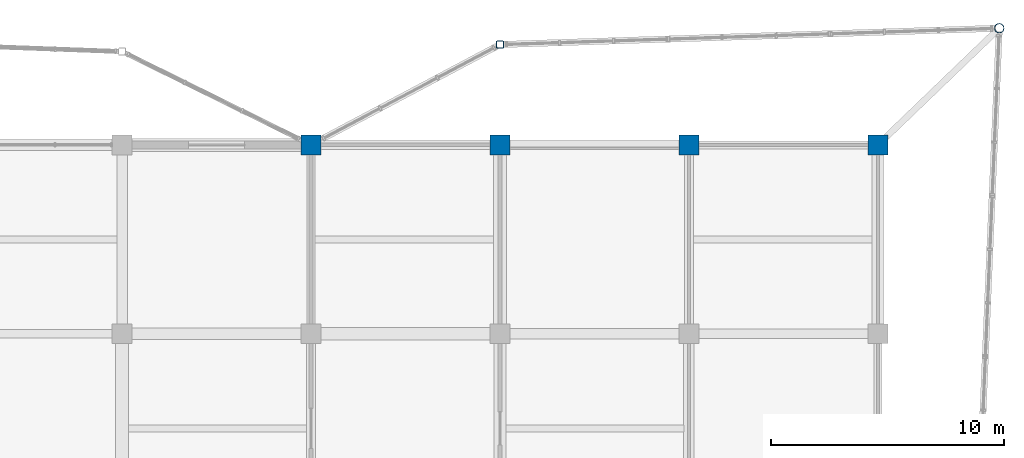
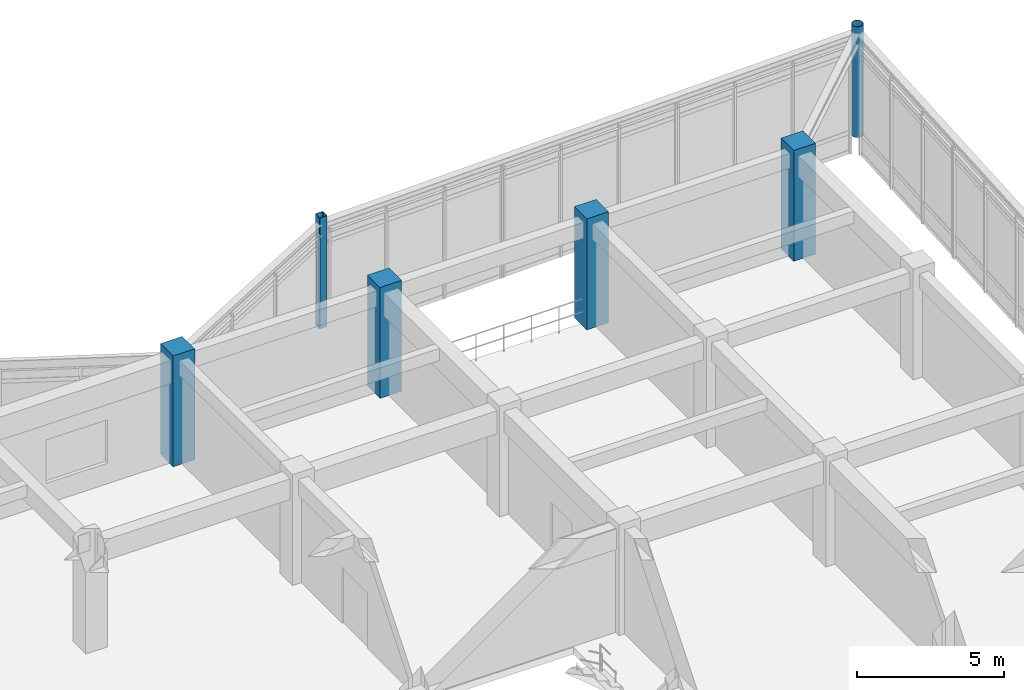
# One storey, part 17 of 93: 6 columns.
"""IFC4 building model written with IfcOpenShell, lengths in metres."""

from ifc_helpers import new_model, si_unit, direction, frame, origin, origin_2d, place, context, subcontext, project, spatial, rectangle, hollow_rectangle, hollow_circle, extrude, material, material_profile, profile_set, type_object, element, save


model = new_model("IFC4")

# Units and contexts
model_context = context("Model", 3, precision=1e-05, world=origin(), true_north=direction((0.0, 1.0)))
body_context = subcontext(model_context, "Body", "Model", "MODEL_VIEW")
ifc_project = project(units=[si_unit("LENGTHUNIT", "METRE"), si_unit("AREAUNIT", "SQUARE_METRE"), si_unit("VOLUMEUNIT", "CUBIC_METRE"), si_unit("PLANEANGLEUNIT", "RADIAN"), si_unit("MASSUNIT", "GRAM", prefix="KILO")], contexts=[model_context])

# Site, building, storey
site_placement = place(None, origin())
site = spatial("IfcSite", under=ifc_project, at=site_placement, CompositionType="ELEMENT")
building_placement = place(site_placement, origin())
building = spatial("IfcBuilding", under=site, at=building_placement, Name="Vaudrelin Polytechnic", CompositionType="ELEMENT")
storey_placement = place(building_placement, frame((0.0, 0.0, 5.10009765625)))
storey = spatial("IfcBuildingStorey", under=building, at=storey_placement, Name="L01", CompositionType="ELEMENT", Elevation=5.10009765625)

# Columns
ifc_material_1 = material(Name="Steel CSA G40.21 350WT", Category="steel")
ifc_material_profile_1 = material_profile(ifc_material_1, hollow_rectangle(XDim=0.304931640625, YDim=0.304931640625, WallThickness=0.0126953125, InnerFilletRadius=0.0126953125, OuterFilletRadius=0.025390625, at=origin_2d()), Name="HSS305x305x12.7")
ifc_profile_set_1 = profile_set([ifc_material_profile_1], Name="Steel CSA G40.21 350WT")
column_type_1 = type_object("IfcColumnType", Name="COL-C-HSS305", PredefinedType="COLUMN", material=ifc_profile_set_1)
column_1_placement = place(storey_placement, frame((153.89990234375, 125.800048828125, 0.0), z_axis=(0.0, 0.0, 1.0), x_axis=(1.0, 0.0, 0.0)))
element("IfcColumn", 1, at=column_1_placement, inside=storey, type_object=column_type_1, Name="Deconstructivist column L01 NE_N", PredefinedType="COLUMN", context=body_context, shape_type="SweptSolid", body=[
    extrude(hollow_rectangle(XDim=0.304931640625, YDim=0.304931640625, WallThickness=0.0126953125, InnerFilletRadius=0.0126953125, OuterFilletRadius=0.025390625, at=origin_2d()), origin(), (0.0, 0.0, 1.0), 4.58984375),
])
ifc_material_2 = material(Name="Concrete 50 MPa", Category="concrete")
ifc_material_profile_2 = material_profile(ifc_material_2, rectangle(XDim=0.85009765625, YDim=0.85009765625, at=origin_2d()), Name="RC850x850")
ifc_profile_set_2 = profile_set([ifc_material_profile_2], Name="Concrete 50 MPa")
column_type_2 = type_object("IfcColumnType", Name="COL-C-RC850", PredefinedType="COLUMN", material=ifc_profile_set_2)
for number, where, z_axis, x_axis, name in (
    (2, (145.800048828125, 121.5, 0.0), (0.0, 0.0, 1.0), (1.0, 0.0, 0.0), "Column L01 19-16"),
    (3, (153.89990234375, 121.5, 0.0), (0.0, 0.0, 1.0), (1.0, 0.0, 0.0), "Column L01 20-16"),
    (4, (162.0, 121.5, 0.0), (0.0, 0.0, 1.0), (1.0, 0.0, 0.0), "Column L01 21-16"),
    (5, (170.10009765625, 121.5, 0.0), (0.0, 0.0, 1.0), (1.0, 0.0, 0.0), "Column L01 22-16"),
):
    element("IfcColumn", number, at=place(storey_placement, frame(where, z_axis=z_axis, x_axis=x_axis)), inside=storey, type_object=column_type_2, Name=name, PredefinedType="COLUMN", context=body_context, shape_type="SweptSolid", body=[
        extrude(rectangle(XDim=0.85009765625, YDim=0.85009765625, at=origin_2d()), origin(), (0.0, 0.0, 1.0), 4.58984375),
    ])
ifc_material_profile_3 = material_profile(ifc_material_1, hollow_circle(Radius=0.203125, WallThickness=0.015869140625, at=origin_2d()), Name="CHS406.4x15.9")
ifc_profile_set_3 = profile_set([ifc_material_profile_3], Name="Steel CSA G40.21 350WT")
column_type_3 = type_object("IfcColumnType", Name="COL-C-TR406", PredefinedType="COLUMN", material=ifc_profile_set_3)
column_2_placement = place(storey_placement, frame((175.300048828125, 126.5, 0.0), z_axis=(0.0, 0.0, 1.0), x_axis=(1.0, 0.0, 0.0)))
element("IfcColumn", 6, at=column_2_placement, inside=storey, type_object=column_type_3, Name="Deconstructivist column L01 NE_APX", PredefinedType="COLUMN", context=body_context, shape_type="SweptSolid", body=[
    extrude(hollow_circle(Radius=0.203125, WallThickness=0.015869140625, at=origin_2d()), origin(), (0.0, 0.0, 1.0), 4.58984375),
])

save(model, "model.ifc")
